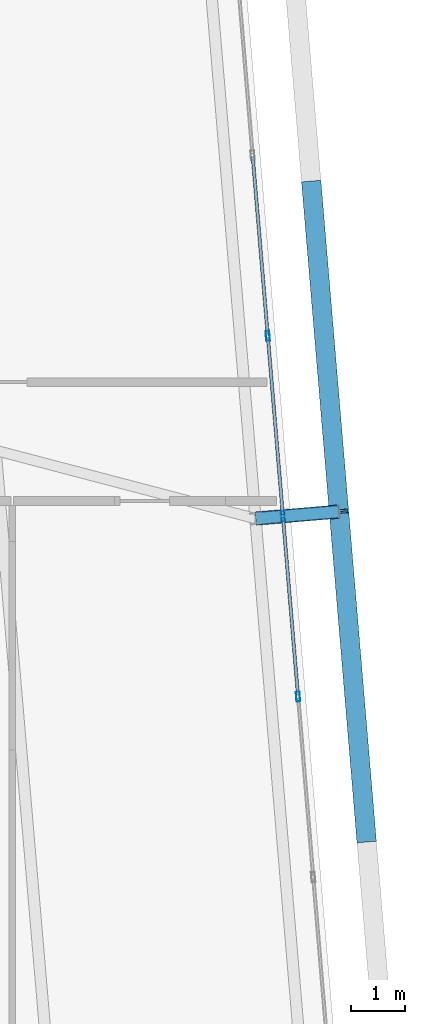
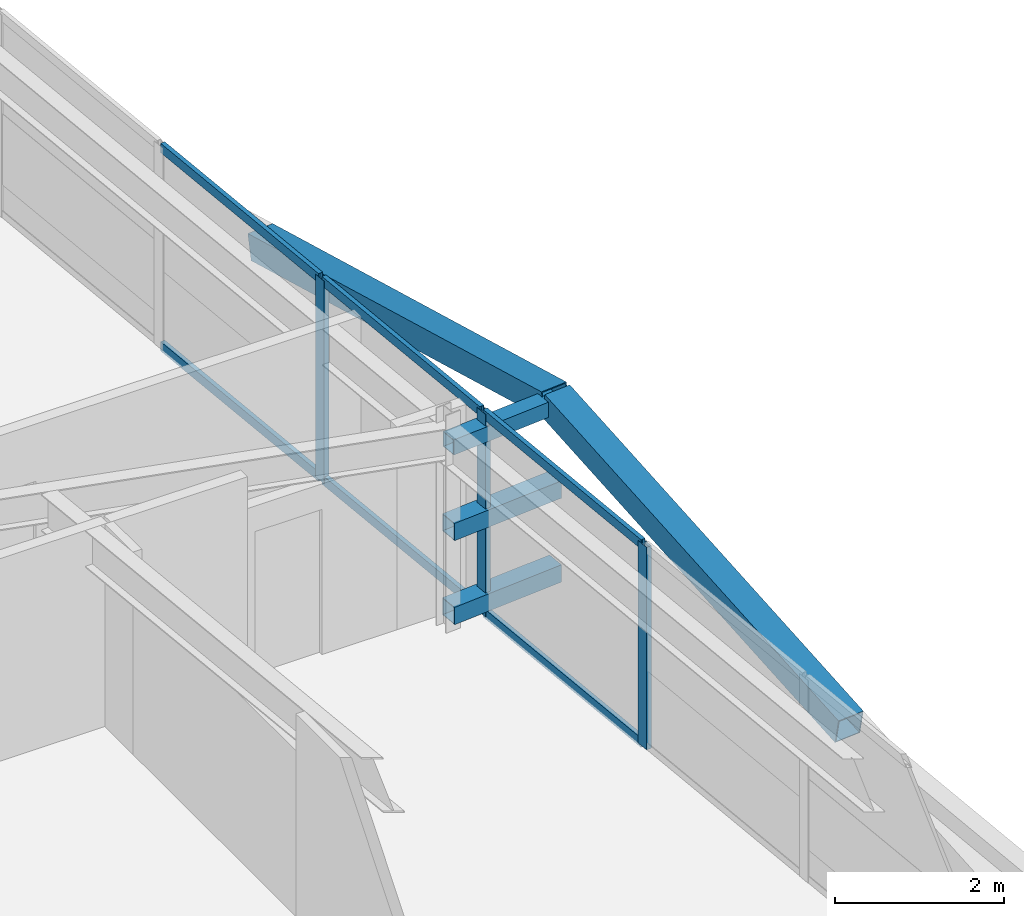
# One storey, part 25 of 46: 14 members, 1 element without a shape of its own.
"""IFC4 building model written with IfcOpenShell, lengths in metres."""

from ifc_helpers import new_model, si_unit, direction, frame, origin, origin_2d, place, context, subcontext, project, spatial, hollow_rectangle, extrude, source, transform, mapped, material, layer, layer_set, material_profile, profile_set, type_object, element, aggregate, save


model = new_model("IFC4")

# Units and contexts
model_context = context("Model", 3, precision=1e-05, world=origin(), true_north=direction((0.0, 1.0)))
body_context = subcontext(model_context, "Body", "Model", "MODEL_VIEW")
ifc_project = project(units=[si_unit("LENGTHUNIT", "METRE"), si_unit("AREAUNIT", "SQUARE_METRE"), si_unit("VOLUMEUNIT", "CUBIC_METRE"), si_unit("PLANEANGLEUNIT", "RADIAN"), si_unit("MASSUNIT", "GRAM", prefix="KILO")], contexts=[model_context])

# Site, building, storey
site_placement = place(None, origin())
site = spatial("IfcSite", under=ifc_project, at=site_placement, CompositionType="ELEMENT")
building_placement = place(site_placement, origin())
building = spatial("IfcBuilding", under=site, at=building_placement, Name="Taldren Reach Tower", CompositionType="ELEMENT")
storey_placement = place(building_placement, frame((0.0, 0.0, 185.14990234375)))
storey = spatial("IfcBuildingStorey", under=building, at=storey_placement, Name="L56", CompositionType="ELEMENT", Elevation=185.14990234375)

# Members
ifc_material_1 = material(Name="Steel Gr 450 (C450L0)", Category="steel")
ifc_material_profile_1 = material_profile(ifc_material_1, hollow_rectangle(XDim=0.219970703125, YDim=0.219970703125, WallThickness=0.00830078125, at=origin_2d()), Name="220x220x8.2SHS")
ifc_profile_set_1 = profile_set([ifc_material_profile_1], Name="Steel Gr 450 (C450L0)")
member_type_1 = type_object("IfcMemberType", Name="MB-TIE219", PredefinedType="STRUT", material=ifc_profile_set_1)
shared_shape_1 = source(origin(), body_context, "Body", "SweptSolid", [
    extrude(hollow_rectangle(XDim=0.219970703125, YDim=0.219970703125, WallThickness=0.00830078125, at=origin_2d()), origin(), (0.0, 0.0, 1.0), 1.54541015625),
])
member_1_placement = place(storey_placement, frame((60.621826171875, 21.47509765625, 2.650146484375), z_axis=(0.99648887425, 0.083725285883, 0.0), x_axis=(-0.083725285883, 0.99648887425, 0.0)))
element("IfcMember", 1, at=member_1_placement, inside=storey, type_object=member_type_1, Name="Exoskeleton diaphragm tie strut B4-E2 L56", PredefinedType="STRUT", context=body_context, shape_type="MappedRepresentation", body=[
    mapped(shared_shape_1, transform((0.0, 0.0, 0.0), scale=1.0)),
])
ifc_material_2 = material(Name="Steel Gr 350 (C350L0)", Category="steel")
ifc_material_profile_2 = material_profile(ifc_material_2, hollow_rectangle(XDim=0.25, YDim=0.25, WallThickness=0.010009765625, at=origin_2d()), Name="250x250x10.0SHS")
ifc_profile_set_2 = profile_set([ifc_material_profile_2], Name="Steel Gr 350 (C350L0)")
member_type_2 = type_object("IfcMemberType", Name="MB-POST250", PredefinedType="POST", material=ifc_profile_set_2)
shared_shape_2 = source(origin(), body_context, "Body", "SweptSolid", [
    extrude(hollow_rectangle(XDim=0.25, YDim=0.25, WallThickness=0.010009765625, at=origin_2d()), origin(), (0.0, 0.0, 1.0), 1.54541015625),
])
for number, where, z_axis, x_axis, name in (
    (2, (60.621826171875, 21.47509765625, 0.22021484375), (0.99648887425, 0.083725285883, 0.0), (-0.083725285883, 0.99648887425, 0.0), "Exoskeleton base diaphragm tie strut B4-E2 L56"),
    (3, (60.621826171875, 21.47509765625, 1.43505859375), (0.99648887425, 0.083725285883, 0.0), (-0.083725285883, 0.99648887425, 0.0), "Exoskeleton mid-tier diaphragm tie B4-E2 L56"),
):
    element("IfcMember", number, at=place(storey_placement, frame(where, z_axis=z_axis, x_axis=x_axis)), inside=storey, type_object=member_type_2, Name=name, PredefinedType="POST", context=body_context, shape_type="MappedRepresentation", body=[
        mapped(shared_shape_2, transform((0.0, 0.0, 0.0), scale=1.0)),
    ])
ifc_material_profile_3 = material_profile(ifc_material_1, hollow_rectangle(XDim=0.360107421875, YDim=0.360107421875, WallThickness=0.0126953125, at=origin_2d()), Name="360x360x12.7SHS")
ifc_profile_set_3 = profile_set([ifc_material_profile_3], Name="Steel Gr 450 (C450L0)")
member_type_3 = type_object("IfcMemberType", Name="MB-EXO356", PredefinedType="BRACE", material=ifc_profile_set_3)
shared_shape_3 = source(origin(), body_context, "Body", "SweptSolid", [
    extrude(hollow_rectangle(XDim=0.360107421875, YDim=0.360107421875, WallThickness=0.0126953125, at=origin_2d()), origin(), (0.0, 0.0, 1.0), 6.219970703125),
])
member_2_placement = place(storey_placement, frame((61.6513671875, 27.68310546875, 1.43505859375), z_axis=(0.082075564879, -0.977291924611, 0.195356330179), x_axis=(0.996492003099, 0.083688038336, 0.0)))
element("IfcMember", 4, at=member_2_placement, inside=storey, type_object=member_type_3, Name="Exoskeleton Diagrid Brace B4-E2 L56", PredefinedType="BRACE", context=body_context, shape_type="MappedRepresentation", body=[
    mapped(shared_shape_3, transform((0.0, 0.0, 0.0), scale=1.0)),
])
shared_shape_4 = source(origin(), body_context, "Body", "SweptSolid", [
    extrude(hollow_rectangle(XDim=0.360107421875, YDim=0.360107421875, WallThickness=0.0126953125, at=origin_2d()), origin(), (0.0, 0.0, 1.0), 6.2197265625),
])
member_3_placement = place(storey_placement, frame((62.672119140625, 15.52587890625, 1.43505859375), z_axis=(-0.082036577282, 0.977295072332, 0.195356959394), x_axis=(-0.996495340012, -0.08364829547, 0.0)))
element("IfcMember", 5, at=member_3_placement, inside=storey, type_object=member_type_3, Name="Exoskeleton Diagrid Brace B4-E1 L56", PredefinedType="BRACE", context=body_context, shape_type="MappedRepresentation", body=[
    mapped(shared_shape_4, transform((0.0, 0.0, 0.0), scale=1.0)),
])

# Curtain wall, members
ifc_material_3 = material(Name="Aluminium and Low-E Glass Unitised System", Category="aluminium")
ifc_layer = layer(ifc_material_3, 0.159912109375)
ifc_layer_set = layer_set([ifc_layer], Name="Aluminium and Low-E Glass Unitised System")
curtain_wall_type = type_object("IfcCurtainWallType", Name="CW-SYS-5", PredefinedType="NOTDEFINED", material=ifc_layer_set)
curtain_wall_placement = place(storey_placement, origin())
curtain_wall = element("IfcCurtainWall", 6, at=curtain_wall_placement, inside=storey, type_object=curtain_wall_type, Name="Unitised curtain wall CW-L56-E", PredefinedType="NOTDEFINED")
ifc_material_4 = material(Name="Anodised Aluminium 6063-T6", Category="aluminium")
ifc_material_profile_4 = material_profile(ifc_material_4, hollow_rectangle(XDim=0.070068359375, YDim=0.179931640625, WallThickness=0.00390625, at=origin_2d()), Name="ALU-180x70x4RHS")
ifc_profile_set_4 = profile_set([ifc_material_profile_4], Name="Anodised Aluminium 6063-T6")
member_type_4 = type_object("IfcMemberType", Name="CW-MUL-180", PredefinedType="MULLION", material=ifc_profile_set_4)
shared_shape_5 = source(origin(), body_context, "Body", "SweptSolid", [
    extrude(hollow_rectangle(XDim=0.070068359375, YDim=0.179931640625, WallThickness=0.00390625, at=origin_2d()), origin(), (0.0, 0.0, 1.0), 2.93017578125),
])
member_4_placement = place(storey_placement, frame((61.40576171875, 18.17919921875, 0.0), z_axis=(0.0, 0.0, 1.0), x_axis=(-0.996492847789, -0.083677979808, 0.0)))
member_4 = element("IfcMember", 7, at=member_4_placement, type_object=member_type_4, Name="CW-5 mullion 4", PredefinedType="MULLION", context=body_context, shape_type="MappedRepresentation", body=[
    mapped(shared_shape_5, transform((0.0, 0.0, 0.0), scale=1.0)),
])
member_5_placement = place(storey_placement, frame((61.12548828125, 21.517578125, 0.0), z_axis=(0.0, 0.0, 1.0), x_axis=(-0.996492847789, -0.083677979808, 0.0)))
member_5 = element("IfcMember", 8, at=member_5_placement, type_object=member_type_4, Name="CW-5 mullion 5", PredefinedType="MULLION", context=body_context, shape_type="MappedRepresentation", body=[
    mapped(shared_shape_5, transform((0.0, 0.0, 0.0), scale=1.0)),
])
member_6_placement = place(storey_placement, frame((60.84521484375, 24.855712890625, 0.0), z_axis=(0.0, 0.0, 1.0), x_axis=(-0.996492847789, -0.083677979808, 0.0)))
member_6 = element("IfcMember", 9, at=member_6_placement, type_object=member_type_4, Name="CW-5 mullion 6", PredefinedType="MULLION", context=body_context, shape_type="MappedRepresentation", body=[
    mapped(shared_shape_5, transform((0.0, 0.0, 0.0), scale=1.0)),
])
ifc_material_profile_5 = material_profile(ifc_material_4, hollow_rectangle(XDim=0.06005859375, YDim=0.135009765625, WallThickness=0.00341796875, at=origin_2d()), Name="ALU-135x60x3.5RHS")
ifc_profile_set_5 = profile_set([ifc_material_profile_5], Name="Anodised Aluminium 6063-T6")
member_type_5 = type_object("IfcMemberType", Name="CW-TRN-150", PredefinedType="USERDEFINED", material=ifc_profile_set_5)
shared_shape_6 = source(origin(), body_context, "Body", "SweptSolid", [
    extrude(hollow_rectangle(XDim=0.06005859375, YDim=0.135009765625, WallThickness=0.00341796875, at=origin_2d()), origin(), (0.0, 0.0, 1.0), 3.280029296875),
])
member_7_placement = place(storey_placement, frame((61.40283203125, 18.214111328125, 0.030029296875), z_axis=(-0.083661452101, 0.996494235524, 0.0), x_axis=(-0.996494235524, -0.083661452101, 0.0)))
member_7 = element("IfcMember", 10, at=member_7_placement, type_object=member_type_5, Name="CW-5 transom 4.1", ObjectType="TRANSOM", PredefinedType="USERDEFINED", context=body_context, shape_type="MappedRepresentation", body=[
    mapped(shared_shape_6, transform((0.0, 0.0, 0.0), scale=1.0)),
])
member_8_placement = place(storey_placement, frame((61.40283203125, 18.214111328125, 2.900146484375), z_axis=(-0.083661452101, 0.996494235524, 0.0), x_axis=(-0.996494235524, -0.083661452101, 0.0)))
member_8 = element("IfcMember", 11, at=member_8_placement, type_object=member_type_5, Name="CW-5 transom 4.2", ObjectType="TRANSOM", PredefinedType="USERDEFINED", context=body_context, shape_type="MappedRepresentation", body=[
    mapped(shared_shape_6, transform((0.0, 0.0, 0.0), scale=1.0)),
])
member_9_placement = place(storey_placement, frame((61.12255859375, 21.55224609375, 0.030029296875), z_axis=(-0.083661452101, 0.996494235524, 0.0), x_axis=(-0.996494235524, -0.083661452101, 0.0)))
member_9 = element("IfcMember", 12, at=member_9_placement, type_object=member_type_5, Name="CW-5 transom 5.1", ObjectType="TRANSOM", PredefinedType="USERDEFINED", context=body_context, shape_type="MappedRepresentation", body=[
    mapped(shared_shape_6, transform((0.0, 0.0, 0.0), scale=1.0)),
])
member_10_placement = place(storey_placement, frame((61.12255859375, 21.55224609375, 2.900146484375), z_axis=(-0.083661452101, 0.996494235524, 0.0), x_axis=(-0.996494235524, -0.083661452101, 0.0)))
member_10 = element("IfcMember", 13, at=member_10_placement, type_object=member_type_5, Name="CW-5 transom 5.2", ObjectType="TRANSOM", PredefinedType="USERDEFINED", context=body_context, shape_type="MappedRepresentation", body=[
    mapped(shared_shape_6, transform((0.0, 0.0, 0.0), scale=1.0)),
])
member_11_placement = place(storey_placement, frame((60.84228515625, 24.890625, 0.030029296875), z_axis=(-0.083735362341, 0.996488027572, 0.0), x_axis=(-0.996488027572, -0.083735362341, 0.0)))
member_11 = element("IfcMember", 14, at=member_11_placement, type_object=member_type_5, Name="CW-5 transom 6.1", ObjectType="TRANSOM", PredefinedType="USERDEFINED", context=body_context, shape_type="MappedRepresentation", body=[
    mapped(shared_shape_6, transform((0.0, 0.0, 0.0), scale=1.0)),
])
member_12_placement = place(storey_placement, frame((60.84228515625, 24.890625, 2.900146484375), z_axis=(-0.083735362341, 0.996488027572, 0.0), x_axis=(-0.996488027572, -0.083735362341, 0.0)))
member_12 = element("IfcMember", 15, at=member_12_placement, type_object=member_type_5, Name="CW-5 transom 6.2", ObjectType="TRANSOM", PredefinedType="USERDEFINED", context=body_context, shape_type="MappedRepresentation", body=[
    mapped(shared_shape_6, transform((0.0, 0.0, 0.0), scale=1.0)),
])
aggregate(curtain_wall, [member_4, member_5, member_6, member_7, member_8, member_9, member_10, member_11, member_12])

save(model, "model.ifc")
